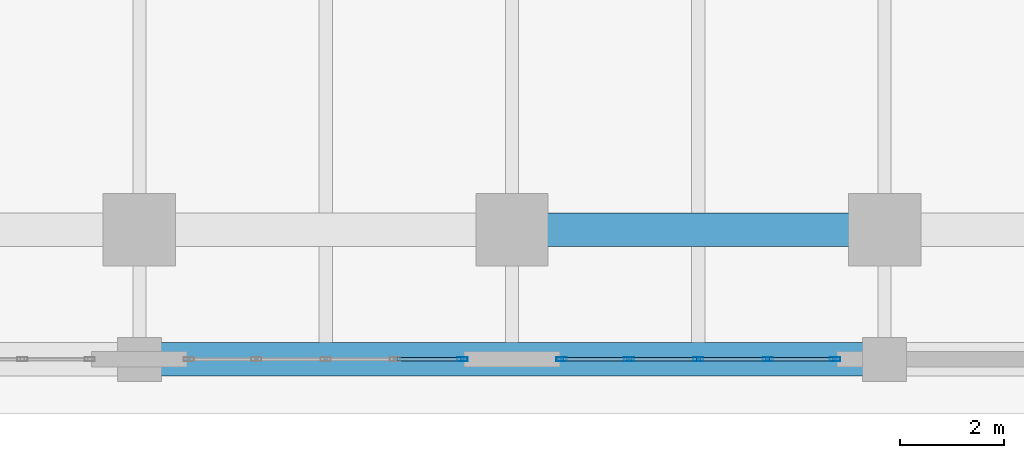
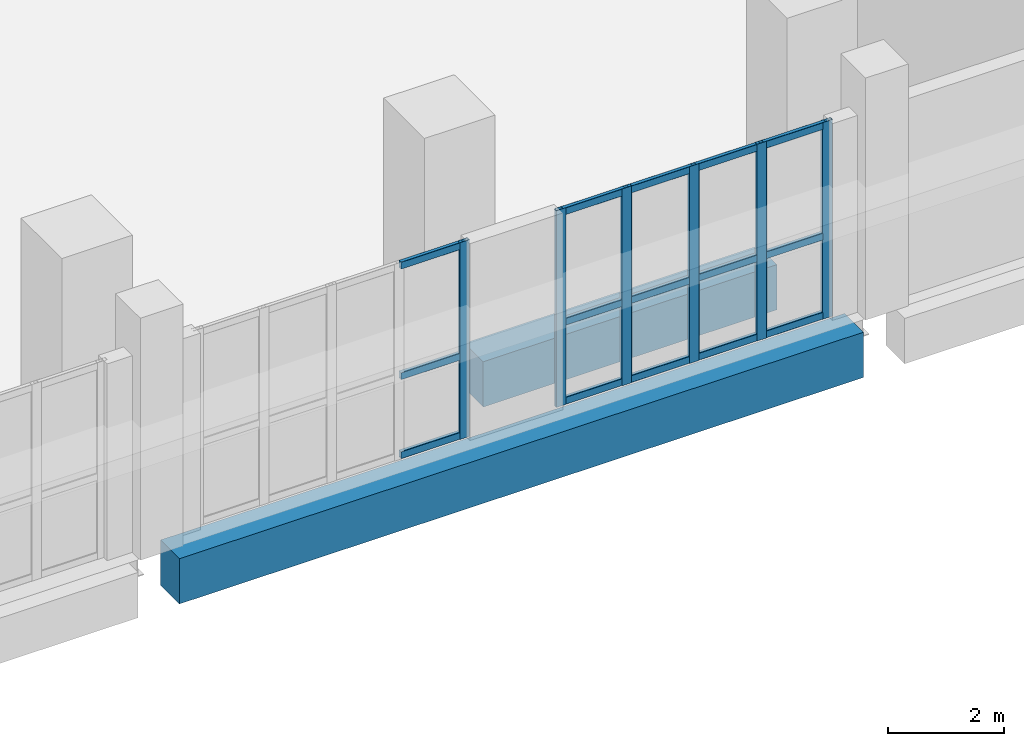
# One storey, part 8 of 25: 21 members, 2 beams, 2 elements without a shape of their own.
"""IFC4 building model written with IfcOpenShell, lengths in metres."""

from ifc_helpers import new_model, si_unit, direction, frame, origin, origin_2d, place, context, subcontext, project, spatial, rectangle, hollow_rectangle, extrude, material, layer, layer_set, material_profile, profile_set, type_object, element, aggregate, save


model = new_model("IFC4")

# Units and contexts
model_context = context("Model", 3, precision=1e-05, world=origin(), true_north=direction((0.0, 1.0)))
body_context = subcontext(model_context, "Body", "Model", "MODEL_VIEW")
ifc_project = project(units=[si_unit("LENGTHUNIT", "METRE"), si_unit("AREAUNIT", "SQUARE_METRE"), si_unit("VOLUMEUNIT", "CUBIC_METRE"), si_unit("PLANEANGLEUNIT", "RADIAN"), si_unit("MASSUNIT", "GRAM", prefix="KILO")], contexts=[model_context])

# Site, building, storey
site_placement = place(None, origin())
site = spatial("IfcSite", under=ifc_project, at=site_placement, CompositionType="ELEMENT")
building_placement = place(site_placement, origin())
building = spatial("IfcBuilding", under=site, at=building_placement, Name="Kaelvorn Grand Hotel", CompositionType="ELEMENT")
storey_placement = place(building_placement, frame((0.0, 0.0, 14.0)))
storey = spatial("IfcBuildingStorey", under=building, at=storey_placement, Name="L02", CompositionType="ELEMENT", Elevation=14.0)

# Beams
ifc_material_1 = material(Name="Concrete C60/75", Category="concrete")
ifc_material_profile_1 = material_profile(ifc_material_1, rectangle(XDim=0.64990234375, YDim=0.949951171875, at=origin_2d()), Name="RC SPANDREL 650x950")
ifc_profile_set_1 = profile_set([ifc_material_profile_1], Name="Concrete C60/75")
beam_type = type_object("IfcBeamType", Name="BM-SP-650x950-C60", PredefinedType="SPANDREL", material=ifc_profile_set_1)
beam_1_placement = place(storey_placement, frame((23.81005859375, -2.5, -0.794921875), z_axis=(1.0, 0.0, 0.0), x_axis=(0.0, 1.0, 0.0)))
element("IfcBeam", 1, at=beam_1_placement, inside=storey, type_object=beam_type, Name="L02 South Perimeter Spandrel 03", PredefinedType="SPANDREL", context=body_context, shape_type="SweptSolid", body=[
    extrude(rectangle(XDim=0.64990234375, YDim=0.949951171875, at=origin_2d()), origin(), (0.0, 0.0, 1.0), 13.579833984375),
])
beam_2_placement = place(storey_placement, frame((31.284912109375, 0.0, -0.794921875), z_axis=(1.0, 0.0, 0.0), x_axis=(0.0, 1.0, 0.0)))
element("IfcBeam", 2, at=beam_2_placement, inside=storey, type_object=beam_type, Name="L02 Tower Line South Girder 04", PredefinedType="SPANDREL", context=body_context, shape_type="SweptSolid", body=[
    extrude(rectangle(XDim=0.64990234375, YDim=0.949951171875, at=origin_2d()), origin(), (0.0, 0.0, 1.0), 5.830078125),
])

# Curtain wall, member
ifc_material_2 = material(Name="Anodised Aluminium", Category="aluminium")
ifc_layer = layer(ifc_material_2, 0.199951171875)
ifc_layer_set = layer_set([ifc_layer], Name="Anodised Aluminium")
curtain_wall_type = type_object("IfcCurtainWallType", Name="CW-SYS2", PredefinedType="NOTDEFINED", material=ifc_layer_set)
curtain_wall_1_placement = place(storey_placement, origin())
curtain_wall_1 = element("IfcCurtainWall", 3, at=curtain_wall_1_placement, inside=storey, type_object=curtain_wall_type, Name="L02 Unitised Curtain Wall CW2 (CW-L02-S-02)", PredefinedType="NOTDEFINED")
ifc_material_profile_2 = material_profile(ifc_material_2, hollow_rectangle(XDim=0.074951171875, YDim=0.199951171875, WallThickness=0.00390625, InnerFilletRadius=0.00390625, OuterFilletRadius=0.008056640625, at=origin_2d()), Name="ALU MULL 75x200")
ifc_profile_set_2 = profile_set([ifc_material_profile_2], Name="Anodised Aluminium")
member_type_1 = type_object("IfcMemberType", Name="CW-SYS2-MULL", PredefinedType="MULLION", material=ifc_profile_set_2)
member_1_placement = place(storey_placement, frame((29.642578125, -2.5, 0.0), z_axis=(0.0, 0.0, 1.0), x_axis=(0.0, 1.0, 0.0)))
member_1 = element("IfcMember", 4, at=member_1_placement, type_object=member_type_1, Name="CW2 mullion 5", PredefinedType="MULLION", context=body_context, shape_type="SweptSolid", body=[
    extrude(hollow_rectangle(XDim=0.074951171875, YDim=0.199951171875, WallThickness=0.00390625, InnerFilletRadius=0.00390625, OuterFilletRadius=0.008056640625, at=origin_2d()), origin(), (0.0, 0.0, 1.0), 4.1298828125),
])

# Curtain wall, members
curtain_wall_2_placement = place(storey_placement, origin())
curtain_wall_2 = element("IfcCurtainWall", 5, at=curtain_wall_2_placement, inside=storey, type_object=curtain_wall_type, Name="L02 Unitised Curtain Wall CW2 (CW-L02-S-03)", PredefinedType="NOTDEFINED")
member_2_placement = place(storey_placement, frame((31.5576171875, -2.5, 0.0), z_axis=(0.0, 0.0, 1.0), x_axis=(0.0, 1.0, 0.0)))
member_2 = element("IfcMember", 6, at=member_2_placement, type_object=member_type_1, Name="CW2 mullion 1", PredefinedType="MULLION", context=body_context, shape_type="SweptSolid", body=[
    extrude(hollow_rectangle(XDim=0.074951171875, YDim=0.199951171875, WallThickness=0.00390625, InnerFilletRadius=0.00390625, OuterFilletRadius=0.008056640625, at=origin_2d()), origin(), (0.0, 0.0, 1.0), 4.1298828125),
])
member_3_placement = place(storey_placement, frame((32.860107421875, -2.5, 0.0), z_axis=(0.0, 0.0, 1.0), x_axis=(0.0, 1.0, 0.0)))
member_3 = element("IfcMember", 7, at=member_3_placement, type_object=member_type_1, Name="CW2 mullion 2", PredefinedType="MULLION", context=body_context, shape_type="SweptSolid", body=[
    extrude(hollow_rectangle(XDim=0.074951171875, YDim=0.199951171875, WallThickness=0.00390625, InnerFilletRadius=0.00390625, OuterFilletRadius=0.008056640625, at=origin_2d()), origin(), (0.0, 0.0, 1.0), 4.1298828125),
])
member_4_placement = place(storey_placement, frame((34.199951171875, -2.5, 0.0), z_axis=(0.0, 0.0, 1.0), x_axis=(0.0, 1.0, 0.0)))
member_4 = element("IfcMember", 8, at=member_4_placement, type_object=member_type_1, Name="CW2 mullion 3", PredefinedType="MULLION", context=body_context, shape_type="SweptSolid", body=[
    extrude(hollow_rectangle(XDim=0.074951171875, YDim=0.199951171875, WallThickness=0.00390625, InnerFilletRadius=0.00390625, OuterFilletRadius=0.008056640625, at=origin_2d()), origin(), (0.0, 0.0, 1.0), 4.1298828125),
])
member_5_placement = place(storey_placement, frame((35.5400390625, -2.5, 0.0), z_axis=(0.0, 0.0, 1.0), x_axis=(0.0, 1.0, 0.0)))
member_5 = element("IfcMember", 9, at=member_5_placement, type_object=member_type_1, Name="CW2 mullion 4", PredefinedType="MULLION", context=body_context, shape_type="SweptSolid", body=[
    extrude(hollow_rectangle(XDim=0.074951171875, YDim=0.199951171875, WallThickness=0.00390625, InnerFilletRadius=0.00390625, OuterFilletRadius=0.008056640625, at=origin_2d()), origin(), (0.0, 0.0, 1.0), 4.1298828125),
])
member_6_placement = place(storey_placement, frame((36.842529296875, -2.5, 0.0), z_axis=(0.0, 0.0, 1.0), x_axis=(0.0, 1.0, 0.0)))
member_6 = element("IfcMember", 10, at=member_6_placement, type_object=member_type_1, Name="CW2 mullion 5", PredefinedType="MULLION", context=body_context, shape_type="SweptSolid", body=[
    extrude(hollow_rectangle(XDim=0.074951171875, YDim=0.199951171875, WallThickness=0.00390625, InnerFilletRadius=0.00390625, OuterFilletRadius=0.008056640625, at=origin_2d()), origin(), (0.0, 0.0, 1.0), 4.1298828125),
])

# Member
ifc_material_profile_3 = material_profile(ifc_material_2, hollow_rectangle(XDim=0.074951171875, YDim=0.14990234375, WallThickness=0.00390625, InnerFilletRadius=0.00390625, OuterFilletRadius=0.008056640625, at=origin_2d()), Name="ALU TRAN 75x150")
ifc_profile_set_3 = profile_set([ifc_material_profile_3], Name="Anodised Aluminium")
member_type_2 = type_object("IfcMemberType", Name="CW-SYS2-TRAN", PredefinedType="NOTDEFINED", material=ifc_profile_set_3)
member_7_placement = place(storey_placement, frame((28.37744140625, -2.5, 0.074951171875), z_axis=(1.0, 0.0, 0.0), x_axis=(0.0, 1.0, 0.0)))
member_7 = element("IfcMember", 11, at=member_7_placement, type_object=member_type_2, Name="CW2 transom 4.1", ObjectType="TRANSOM", PredefinedType="USERDEFINED", context=body_context, shape_type="SweptSolid", body=[
    extrude(hollow_rectangle(XDim=0.074951171875, YDim=0.14990234375, WallThickness=0.00390625, InnerFilletRadius=0.00390625, OuterFilletRadius=0.008056640625, at=origin_2d()), origin(), (0.0, 0.0, 1.0), 1.2275390625),
])

member_8_placement = place(storey_placement, frame((28.37744140625, -2.5, 1.734619140625), z_axis=(1.0, 0.0, 0.0), x_axis=(0.0, 1.0, 0.0)))
member_8 = element("IfcMember", 12, at=member_8_placement, type_object=member_type_2, Name="CW2 transom 4.2", ObjectType="TRANSOM", PredefinedType="USERDEFINED", context=body_context, shape_type="SweptSolid", body=[
    extrude(hollow_rectangle(XDim=0.074951171875, YDim=0.14990234375, WallThickness=0.00390625, InnerFilletRadius=0.00390625, OuterFilletRadius=0.008056640625, at=origin_2d()), origin(), (0.0, 0.0, 1.0), 1.2275390625),
])

member_9_placement = place(storey_placement, frame((28.37744140625, -2.5, 4.054931640625), z_axis=(1.0, 0.0, 0.0), x_axis=(0.0, 1.0, 0.0)))
member_9 = element("IfcMember", 13, at=member_9_placement, type_object=member_type_2, Name="CW2 transom 4.3", ObjectType="TRANSOM", PredefinedType="USERDEFINED", context=body_context, shape_type="SweptSolid", body=[
    extrude(hollow_rectangle(XDim=0.074951171875, YDim=0.14990234375, WallThickness=0.00390625, InnerFilletRadius=0.00390625, OuterFilletRadius=0.008056640625, at=origin_2d()), origin(), (0.0, 0.0, 1.0), 1.2275390625),
])

aggregate(curtain_wall_1, [member_1, member_7, member_8, member_9])

member_10_placement = place(storey_placement, frame((31.594970703125, -2.5, 0.074951171875), z_axis=(1.0, 0.0, 0.0), x_axis=(0.0, 1.0, 0.0)))
member_10 = element("IfcMember", 14, at=member_10_placement, type_object=member_type_2, Name="CW2 transom 1.1", ObjectType="TRANSOM", PredefinedType="USERDEFINED", context=body_context, shape_type="SweptSolid", body=[
    extrude(hollow_rectangle(XDim=0.074951171875, YDim=0.14990234375, WallThickness=0.00390625, InnerFilletRadius=0.00390625, OuterFilletRadius=0.008056640625, at=origin_2d()), origin(), (0.0, 0.0, 1.0), 1.2275390625),
])

member_11_placement = place(storey_placement, frame((31.594970703125, -2.5, 1.734619140625), z_axis=(1.0, 0.0, 0.0), x_axis=(0.0, 1.0, 0.0)))
member_11 = element("IfcMember", 15, at=member_11_placement, type_object=member_type_2, Name="CW2 transom 1.2", ObjectType="TRANSOM", PredefinedType="USERDEFINED", context=body_context, shape_type="SweptSolid", body=[
    extrude(hollow_rectangle(XDim=0.074951171875, YDim=0.14990234375, WallThickness=0.00390625, InnerFilletRadius=0.00390625, OuterFilletRadius=0.008056640625, at=origin_2d()), origin(), (0.0, 0.0, 1.0), 1.2275390625),
])

member_12_placement = place(storey_placement, frame((31.594970703125, -2.5, 4.054931640625), z_axis=(1.0, 0.0, 0.0), x_axis=(0.0, 1.0, 0.0)))
member_12 = element("IfcMember", 16, at=member_12_placement, type_object=member_type_2, Name="CW2 transom 1.3", ObjectType="TRANSOM", PredefinedType="USERDEFINED", context=body_context, shape_type="SweptSolid", body=[
    extrude(hollow_rectangle(XDim=0.074951171875, YDim=0.14990234375, WallThickness=0.00390625, InnerFilletRadius=0.00390625, OuterFilletRadius=0.008056640625, at=origin_2d()), origin(), (0.0, 0.0, 1.0), 1.2275390625),
])

member_13_placement = place(storey_placement, frame((32.8974609375, -2.5, 0.074951171875), z_axis=(1.0, 0.0, 0.0), x_axis=(0.0, 1.0, 0.0)))
member_13 = element("IfcMember", 17, at=member_13_placement, type_object=member_type_2, Name="CW2 transom 2.1", ObjectType="TRANSOM", PredefinedType="USERDEFINED", context=body_context, shape_type="SweptSolid", body=[
    extrude(hollow_rectangle(XDim=0.074951171875, YDim=0.14990234375, WallThickness=0.00390625, InnerFilletRadius=0.00390625, OuterFilletRadius=0.008056640625, at=origin_2d()), origin(), (0.0, 0.0, 1.0), 1.26513671875),
])

member_14_placement = place(storey_placement, frame((32.8974609375, -2.5, 1.734619140625), z_axis=(1.0, 0.0, 0.0), x_axis=(0.0, 1.0, 0.0)))
member_14 = element("IfcMember", 18, at=member_14_placement, type_object=member_type_2, Name="CW2 transom 2.2", ObjectType="TRANSOM", PredefinedType="USERDEFINED", context=body_context, shape_type="SweptSolid", body=[
    extrude(hollow_rectangle(XDim=0.074951171875, YDim=0.14990234375, WallThickness=0.00390625, InnerFilletRadius=0.00390625, OuterFilletRadius=0.008056640625, at=origin_2d()), origin(), (0.0, 0.0, 1.0), 1.26513671875),
])

member_15_placement = place(storey_placement, frame((32.8974609375, -2.5, 4.054931640625), z_axis=(1.0, 0.0, 0.0), x_axis=(0.0, 1.0, 0.0)))
member_15 = element("IfcMember", 19, at=member_15_placement, type_object=member_type_2, Name="CW2 transom 2.3", ObjectType="TRANSOM", PredefinedType="USERDEFINED", context=body_context, shape_type="SweptSolid", body=[
    extrude(hollow_rectangle(XDim=0.074951171875, YDim=0.14990234375, WallThickness=0.00390625, InnerFilletRadius=0.00390625, OuterFilletRadius=0.008056640625, at=origin_2d()), origin(), (0.0, 0.0, 1.0), 1.26513671875),
])

member_16_placement = place(storey_placement, frame((34.237548828125, -2.5, 0.074951171875), z_axis=(1.0, 0.0, 0.0), x_axis=(0.0, 1.0, 0.0)))
member_16 = element("IfcMember", 20, at=member_16_placement, type_object=member_type_2, Name="CW2 transom 3.1", ObjectType="TRANSOM", PredefinedType="USERDEFINED", context=body_context, shape_type="SweptSolid", body=[
    extrude(hollow_rectangle(XDim=0.074951171875, YDim=0.14990234375, WallThickness=0.00390625, InnerFilletRadius=0.00390625, OuterFilletRadius=0.008056640625, at=origin_2d()), origin(), (0.0, 0.0, 1.0), 1.264892578125),
])

member_17_placement = place(storey_placement, frame((34.237548828125, -2.5, 1.734619140625), z_axis=(1.0, 0.0, 0.0), x_axis=(0.0, 1.0, 0.0)))
member_17 = element("IfcMember", 21, at=member_17_placement, type_object=member_type_2, Name="CW2 transom 3.2", ObjectType="TRANSOM", PredefinedType="USERDEFINED", context=body_context, shape_type="SweptSolid", body=[
    extrude(hollow_rectangle(XDim=0.074951171875, YDim=0.14990234375, WallThickness=0.00390625, InnerFilletRadius=0.00390625, OuterFilletRadius=0.008056640625, at=origin_2d()), origin(), (0.0, 0.0, 1.0), 1.264892578125),
])

member_18_placement = place(storey_placement, frame((34.237548828125, -2.5, 4.054931640625), z_axis=(1.0, 0.0, 0.0), x_axis=(0.0, 1.0, 0.0)))
member_18 = element("IfcMember", 22, at=member_18_placement, type_object=member_type_2, Name="CW2 transom 3.3", ObjectType="TRANSOM", PredefinedType="USERDEFINED", context=body_context, shape_type="SweptSolid", body=[
    extrude(hollow_rectangle(XDim=0.074951171875, YDim=0.14990234375, WallThickness=0.00390625, InnerFilletRadius=0.00390625, OuterFilletRadius=0.008056640625, at=origin_2d()), origin(), (0.0, 0.0, 1.0), 1.264892578125),
])

member_19_placement = place(storey_placement, frame((35.577392578125, -2.5, 0.074951171875), z_axis=(1.0, 0.0, 0.0), x_axis=(0.0, 1.0, 0.0)))
member_19 = element("IfcMember", 23, at=member_19_placement, type_object=member_type_2, Name="CW2 transom 4.1", ObjectType="TRANSOM", PredefinedType="USERDEFINED", context=body_context, shape_type="SweptSolid", body=[
    extrude(hollow_rectangle(XDim=0.074951171875, YDim=0.14990234375, WallThickness=0.00390625, InnerFilletRadius=0.00390625, OuterFilletRadius=0.008056640625, at=origin_2d()), origin(), (0.0, 0.0, 1.0), 1.2275390625),
])

member_20_placement = place(storey_placement, frame((35.577392578125, -2.5, 1.734619140625), z_axis=(1.0, 0.0, 0.0), x_axis=(0.0, 1.0, 0.0)))
member_20 = element("IfcMember", 24, at=member_20_placement, type_object=member_type_2, Name="CW2 transom 4.2", ObjectType="TRANSOM", PredefinedType="USERDEFINED", context=body_context, shape_type="SweptSolid", body=[
    extrude(hollow_rectangle(XDim=0.074951171875, YDim=0.14990234375, WallThickness=0.00390625, InnerFilletRadius=0.00390625, OuterFilletRadius=0.008056640625, at=origin_2d()), origin(), (0.0, 0.0, 1.0), 1.2275390625),
])

member_21_placement = place(storey_placement, frame((35.577392578125, -2.5, 4.054931640625), z_axis=(1.0, 0.0, 0.0), x_axis=(0.0, 1.0, 0.0)))
member_21 = element("IfcMember", 25, at=member_21_placement, type_object=member_type_2, Name="CW2 transom 4.3", ObjectType="TRANSOM", PredefinedType="USERDEFINED", context=body_context, shape_type="SweptSolid", body=[
    extrude(hollow_rectangle(XDim=0.074951171875, YDim=0.14990234375, WallThickness=0.00390625, InnerFilletRadius=0.00390625, OuterFilletRadius=0.008056640625, at=origin_2d()), origin(), (0.0, 0.0, 1.0), 1.2275390625),
])

aggregate(curtain_wall_2, [member_2, member_3, member_4, member_5, member_6, member_10, member_11, member_12, member_13, member_14, member_15, member_16, member_17, member_18, member_19, member_20, member_21])

save(model, "model.ifc")
